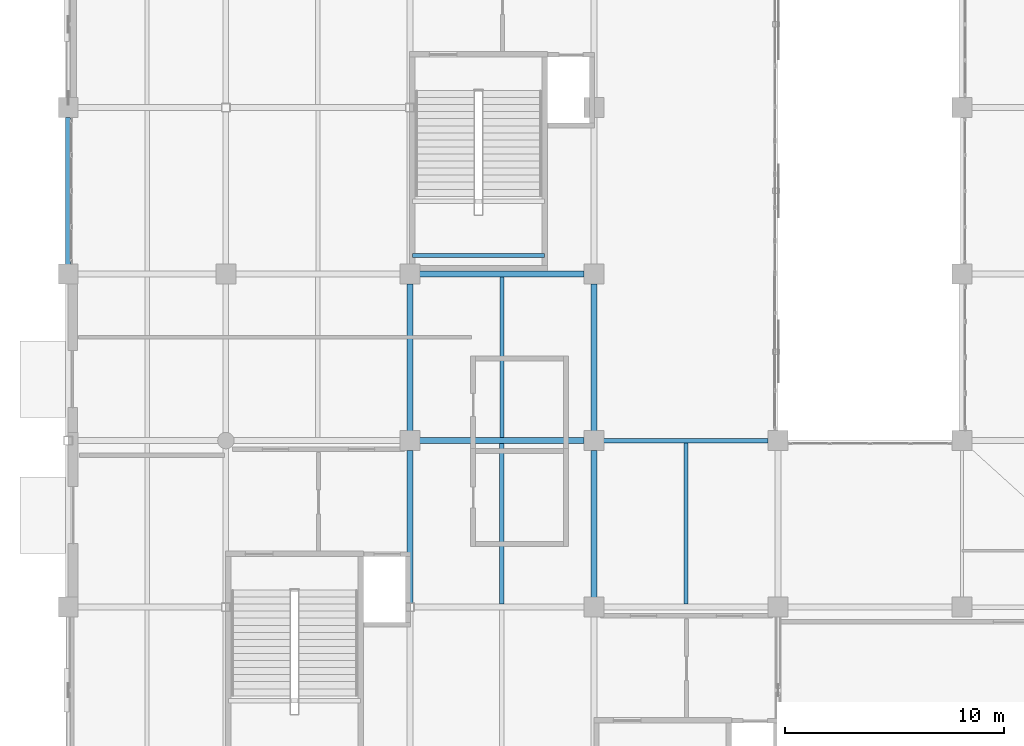
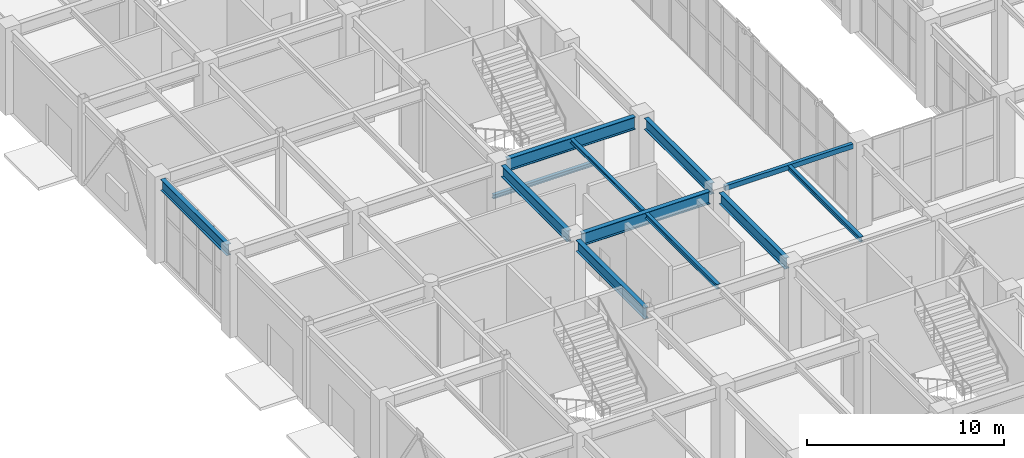
# One storey, part 19 of 139: 12 beams.
"""IFC4 building model written with IfcOpenShell, lengths in metres."""

from ifc_helpers import new_model, si_unit, direction, frame, origin, origin_2d, place, context, subcontext, project, spatial, hollow_rectangle, i_section, extrude, material, material_profile, profile_set, type_object, element, save


model = new_model("IFC4")

# Units and contexts
model_context = context("Model", 3, precision=1e-05, world=origin(), true_north=direction((0.0, 1.0)))
body_context = subcontext(model_context, "Body", "Model", "MODEL_VIEW")
ifc_project = project(units=[si_unit("LENGTHUNIT", "METRE"), si_unit("AREAUNIT", "SQUARE_METRE"), si_unit("VOLUMEUNIT", "CUBIC_METRE"), si_unit("PLANEANGLEUNIT", "RADIAN"), si_unit("MASSUNIT", "GRAM", prefix="KILO")], contexts=[model_context])

# Site, building, storey
site_placement = place(None, origin())
site = spatial("IfcSite", under=ifc_project, at=site_placement, CompositionType="ELEMENT")
building_placement = place(site_placement, origin())
building = spatial("IfcBuilding", under=site, at=building_placement, Name="Xicomal Pleat Aquarium", CompositionType="ELEMENT")
storey_placement = place(building_placement, origin())
storey = spatial("IfcBuildingStorey", under=building, at=storey_placement, Name="L01", CompositionType="ELEMENT", Elevation=0.0)

# Beams
ifc_material_1 = material(Name="Structural steel A992 Gr 50", Category="steel")
ifc_material_profile_1 = material_profile(ifc_material_1, i_section(OverallWidth=0.201904296875, OverallDepth=0.2470703125, WebThickness=0.00732421875, FlangeThickness=0.010986328125, at=origin_2d()), Name="IR 250x49")
ifc_profile_set_1 = profile_set([ifc_material_profile_1], Name="Structural steel A992 Gr 50")
beam_type_1 = type_object("IfcBeamType", Name="BM-STL-IR250", PredefinedType="JOIST", material=ifc_profile_set_1)
beam_1_placement = place(storey_placement, frame((22.800048828125, 38.136962890625, 5.03662109375), z_axis=(0.0, 1.0, 0.0), x_axis=(-1.0, 0.0, 0.0)))
element("IfcBeam", 1, at=beam_1_placement, inside=storey, type_object=beam_type_1, Name="L01 framing beam FBJ-L01-03-F-1", PredefinedType="JOIST", context=body_context, shape_type="SweptSolid", body=[
    extrude(i_section(OverallWidth=0.201904296875, OverallDepth=0.2470703125, WebThickness=0.00732421875, FlangeThickness=0.010986328125, at=origin_2d()), origin(), (0.0, 0.0, 1.0), 7.325927734375),
])
beam_2_placement = place(storey_placement, frame((18.719970703125, 46.449951171875, 2.37890625), z_axis=(1.0, 0.0, 0.0), x_axis=(0.0, 1.0, 0.0)))
element("IfcBeam", 2, at=beam_2_placement, inside=storey, type_object=beam_type_1, Name="ST-04-L01 half-landing bearer beam 1", PredefinedType="JOIST", context=body_context, shape_type="SweptSolid", body=[
    extrude(i_section(OverallWidth=0.201904296875, OverallDepth=0.2470703125, WebThickness=0.00732421875, FlangeThickness=0.010986328125, at=origin_2d()), origin(), (0.0, 0.0, 1.0), 6.02001953125),
])
ifc_material_2 = material(Name="Structural steel A992 Gr 50", Category="steel")
ifc_material_profile_2 = material_profile(ifc_material_2, i_section(OverallWidth=0.202880859375, OverallDepth=0.302978515625, WebThickness=0.007568359375, FlangeThickness=0.01318359375, at=origin_2d()), Name="IR 310x60")
ifc_profile_set_2 = profile_set([ifc_material_profile_2], Name="Structural steel A992 Gr 50")
beam_type_2 = type_object("IfcBeamType", Name="BM-STL-IR310", PredefinedType="JOIST", material=ifc_profile_set_2)
beam_3_placement = place(storey_placement, frame((22.800048828125, 30.537109375, 4.988525390625), z_axis=(0.0, 1.0, 0.0), x_axis=(-1.0, 0.0, 0.0)))
element("IfcBeam", 3, at=beam_3_placement, inside=storey, type_object=beam_type_2, Name="L01 framing beam FBJ-L01-03-E-1", PredefinedType="JOIST", context=body_context, shape_type="SweptSolid", body=[
    extrude(i_section(OverallWidth=0.202880859375, OverallDepth=0.302978515625, WebThickness=0.007568359375, FlangeThickness=0.01318359375, at=origin_2d()), origin(), (0.0, 0.0, 1.0), 7.325927734375),
])
beam_4_placement = place(storey_placement, frame((31.199951171875, 30.537109375, 4.988525390625), z_axis=(0.0, 1.0, 0.0), x_axis=(-1.0, 0.0, 0.0)))
element("IfcBeam", 4, at=beam_4_placement, inside=storey, type_object=beam_type_2, Name="L01 framing beam FBJ-L01-04-E-1", PredefinedType="JOIST", context=body_context, shape_type="SweptSolid", body=[
    extrude(i_section(OverallWidth=0.202880859375, OverallDepth=0.302978515625, WebThickness=0.007568359375, FlangeThickness=0.01318359375, at=origin_2d()), origin(), (0.0, 0.0, 1.0), 7.35986328125),
])
ifc_material_3 = material(Name="Structural steel A992 Gr 50", Category="steel")
ifc_material_profile_3 = material_profile(ifc_material_3, i_section(OverallWidth=0.256103515625, OverallDepth=0.693115234375, WebThickness=0.014404296875, FlangeThickness=0.023681640625, at=origin_2d()), Name="IR 690x170")
ifc_profile_set_3 = profile_set([ifc_material_profile_3], Name="Structural steel A992 Gr 50")
beam_type_3 = type_object("IfcBeamType", Name="BM-STL-IR690", PredefinedType="BEAM", material=ifc_profile_set_3)
beam_5_placement = place(storey_placement, frame((3.0, 46.044921875, 4.8134765625), z_axis=(0.0, 1.0, 0.0), x_axis=(-1.0, 0.0, 0.0)))
element("IfcBeam", 5, at=beam_5_placement, inside=storey, type_object=beam_type_3, Name="L01 framing beam FGY-L01-01-G-H", PredefinedType="BEAM", context=body_context, shape_type="SweptSolid", body=[
    extrude(i_section(OverallWidth=0.256103515625, OverallDepth=0.693115234375, WebThickness=0.014404296875, FlangeThickness=0.023681640625, at=origin_2d()), origin(), (0.0, 0.0, 1.0), 6.7099609375),
])
beam_6_placement = place(storey_placement, frame((18.60009765625, 30.594970703125, 4.79345703125), z_axis=(0.0, 1.0, 0.0), x_axis=(-1.0, 0.0, 0.0)))
element("IfcBeam", 6, at=beam_6_placement, inside=storey, type_object=beam_type_3, Name="L01 framing beam FGY-L01-03-E-F", PredefinedType="BEAM", context=body_context, shape_type="SweptSolid", body=[
    extrude(i_section(OverallWidth=0.256103515625, OverallDepth=0.693115234375, WebThickness=0.014404296875, FlangeThickness=0.023681640625, at=origin_2d()), origin(), (0.0, 0.0, 1.0), 6.9599609375),
])
for number, where, z_axis, x_axis, name in (
    (7, (18.60009765625, 38.445068359375, 4.8134765625), (0.0, 1.0, 0.0), (-1.0, 0.0, 0.0), "L01 framing beam FGY-L01-03-F-G"),
    (8, (27.0, 30.844970703125, 4.79345703125), (0.0, 1.0, 0.0), (-1.0, 0.0, 0.0), "L01 framing beam FGY-L01-04-E-F"),
    (9, (27.0, 38.445068359375, 4.8134765625), (0.0, 1.0, 0.0), (-1.0, 0.0, 0.0), "L01 framing beam FGY-L01-04-F-G"),
):
    element("IfcBeam", number, at=place(storey_placement, frame(where, z_axis=z_axis, x_axis=x_axis)), inside=storey, type_object=beam_type_3, Name=name, PredefinedType="BEAM", context=body_context, shape_type="SweptSolid", body=[
        extrude(i_section(OverallWidth=0.256103515625, OverallDepth=0.693115234375, WebThickness=0.014404296875, FlangeThickness=0.023681640625, at=origin_2d()), origin(), (0.0, 0.0, 1.0), 6.7099609375),
    ])
ifc_material_4 = material(Name="Structural steel A992 Gr 50", Category="steel")
ifc_material_profile_4 = material_profile(ifc_material_4, i_section(OverallWidth=0.26806640625, OverallDepth=0.77001953125, WebThickness=0.015625, FlangeThickness=0.025390625, at=origin_2d()), Name="IR 760x196")
ifc_profile_set_4 = profile_set([ifc_material_profile_4], Name="Structural steel A992 Gr 50")
beam_type_4 = type_object("IfcBeamType", Name="BM-STL-IR760", PredefinedType="BEAM", material=ifc_profile_set_4)
for number, where, z_axis, x_axis, name in (
    (10, (19.044921875, 38.0, 4.7548828125), (1.0, 0.0, 0.0), (0.0, 1.0, 0.0), "L01 framing beam FGX-L01-03-04-F"),
    (11, (19.044921875, 45.60009765625, 4.77490234375), (1.0, 0.0, 0.0), (0.0, 1.0, 0.0), "L01 framing beam FGX-L01-03-04-G"),
):
    element("IfcBeam", number, at=place(storey_placement, frame(where, z_axis=z_axis, x_axis=x_axis)), inside=storey, type_object=beam_type_4, Name=name, PredefinedType="BEAM", context=body_context, shape_type="SweptSolid", body=[
        extrude(i_section(OverallWidth=0.26806640625, OverallDepth=0.77001953125, WebThickness=0.015625, FlangeThickness=0.025390625, at=origin_2d()), origin(), (0.0, 0.0, 1.0), 7.510009765625),
    ])
ifc_material_5 = material(Name="Structural steel A500 Gr C", Category="steel")
ifc_material_profile_5 = material_profile(ifc_material_5, hollow_rectangle(XDim=0.199951171875, YDim=0.300048828125, WallThickness=0.011962890625, at=origin_2d()), Name="OR 300x200x12")
ifc_profile_set_5 = profile_set([ifc_material_profile_5], Name="Structural steel A500 Gr C")
beam_type_5 = type_object("IfcBeamType", Name="BM-STL-OR300", PredefinedType="SPANDREL", material=ifc_profile_set_5)
beam_7_placement = place(storey_placement, frame((27.445068359375, 38.0, 4.989990234375), z_axis=(1.0, 0.0, 0.0), x_axis=(0.0, 1.0, 0.0)))
element("IfcBeam", 12, at=beam_7_placement, inside=storey, type_object=beam_type_5, Name="L01 framing beam FGX-L01-04-05-F", PredefinedType="SPANDREL", context=body_context, shape_type="SweptSolid", body=[
    extrude(hollow_rectangle(XDim=0.199951171875, YDim=0.300048828125, WallThickness=0.011962890625, at=origin_2d()), origin(), (0.0, 0.0, 1.0), 7.510009765625),
])

save(model, "model.ifc")
